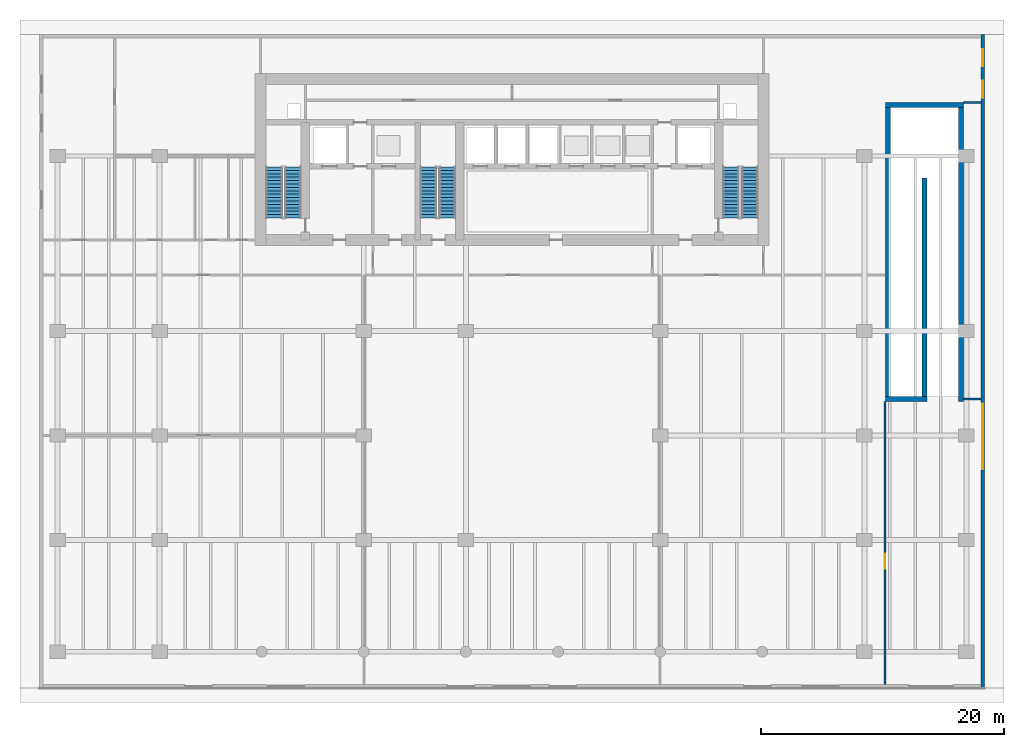
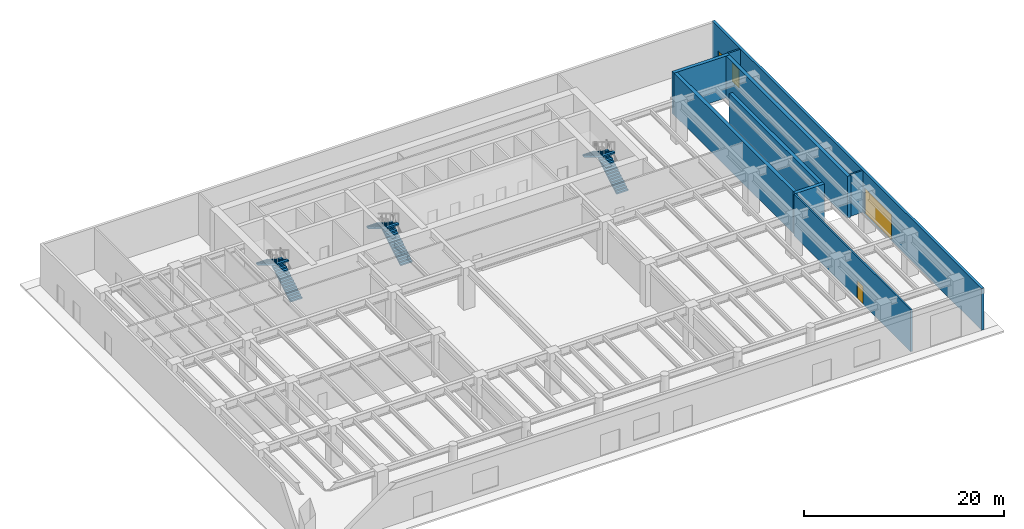
# One storey, part 7 of 11: 9 walls, 6 stair flights, 4 doors, 4 openings, 3 elements without a shape of their own.
"""IFC4 building model written with IfcOpenShell, lengths in metres."""

from ifc_helpers import new_model, si_unit, direction, frame, frame_2d, origin, place, context, subcontext, project, spatial, polyline, rectangle, outline, extrude, material, layer, layer_set, type_object, element, fill, aggregate, save


model = new_model("IFC4")

# Units and contexts
model_context = context("Model", 3, precision=1e-05, world=origin(), true_north=direction((0.0, 1.0)))
body_context = subcontext(model_context, "Body", "Model", "MODEL_VIEW")
ifc_project = project(units=[si_unit("LENGTHUNIT", "METRE"), si_unit("AREAUNIT", "SQUARE_METRE"), si_unit("VOLUMEUNIT", "CUBIC_METRE"), si_unit("PLANEANGLEUNIT", "RADIAN"), si_unit("MASSUNIT", "GRAM", prefix="KILO")], contexts=[model_context])

# Site, building, storey
site_placement = place(None, origin())
site = spatial("IfcSite", under=ifc_project, at=site_placement, CompositionType="ELEMENT")
building_placement = place(site_placement, origin())
building = spatial("IfcBuilding", under=site, at=building_placement, Name="Caelmar Bay Residences", CompositionType="ELEMENT")
storey_placement = place(building_placement, origin())
storey = spatial("IfcBuildingStorey", under=building, at=storey_placement, Name="L00", CompositionType="ELEMENT", Elevation=0.0)

# Walls
ifc_material_1 = material(Name="Concrete f'c 40 MPa (6,000 psi)", Category="concrete")
ifc_layer_1 = layer(ifc_material_1, 0.39990234375)
ifc_layer_set_1 = layer_set([ifc_layer_1], Name="Concrete f'c 40 MPa (6,000 psi)")
wall_type_1 = type_object("IfcWallType", Name="SW-RMP-400", PredefinedType="SHEAR", material=ifc_layer_set_1)
wall_1_placement = place(storey_placement, frame((69.64990234375, 48.0, 0.0), z_axis=(0.0, 0.0, 1.0), x_axis=(1.0, 0.0, 0.0)))
element("IfcWall", 1, at=wall_1_placement, inside=storey, type_object=wall_type_1, Name="Car park vehicle ramp B01 to L00 L00 Ramp Shaft Enclosure Wall N", PredefinedType="SHEAR", context=body_context, shape_type="SweptSolid", body=[
    extrude(rectangle(XDim=6.400146484375, YDim=0.39990234375, at=frame_2d((3.2001953125, 0.0))), origin(), (0.0, 0.0, 1.0), 5.10009765625),
])
for number, where, z_axis, x_axis, name in (
    (2, (69.85009765625, 23.60009765625, 0.0), (0.0, 0.0, 1.0), (0.0, 1.0, 0.0), "Car park vehicle ramp B01 to L00 L00 Ramp Shaft Enclosure Wall W"),
    (3, (75.85009765625, 23.60009765625, 0.0), (0.0, 0.0, 1.0), (0.0, 1.0, 0.0), "Car park vehicle ramp B01 to L00 L00 Ramp Shaft Enclosure Wall E"),
):
    element("IfcWall", number, at=place(storey_placement, frame(where, z_axis=z_axis, x_axis=x_axis)), inside=storey, type_object=wall_type_1, Name=name, PredefinedType="SHEAR", context=body_context, shape_type="SweptSolid", body=[
        extrude(rectangle(XDim=24.199951171875, YDim=0.39990234375, at=frame_2d((12.10009765625, 0.0))), origin(), (0.0, 0.0, 1.0), 5.10009765625),
    ])
wall_2_placement = place(storey_placement, frame((72.85009765625, 23.60009765625, -0.300048828125), z_axis=(0.0, 0.0, 1.0), x_axis=(0.0, 1.0, 0.0)))
element("IfcWall", 4, at=wall_2_placement, inside=storey, type_object=wall_type_1, Name="Car park vehicle ramp B01 to L00 L00 Ramp Shaft Enclosure Wall M", PredefinedType="SHEAR", context=body_context, shape_type="SweptSolid", body=[
    extrude(rectangle(XDim=18.39990234375, YDim=0.39990234375, at=frame_2d((9.199951171875, 0.0))), origin(), (0.0, 0.0, 1.0), 5.400146484375),
])
wall_3_placement = place(storey_placement, frame((69.64990234375, 23.800048828125, 0.0), z_axis=(0.0, 0.0, 1.0), x_axis=(1.0, 0.0, 0.0)))
element("IfcWall", 5, at=wall_3_placement, inside=storey, type_object=wall_type_1, Name="Car park vehicle ramp B01 to L00 L00 Ramp Shaft Enclosure Wall SW", PredefinedType="SHEAR", context=body_context, shape_type="SweptSolid", body=[
    extrude(rectangle(XDim=3.400146484375, YDim=0.39990234375, at=frame_2d((1.7001953125, 0.0))), origin(), (0.0, 0.0, 1.0), 5.10009765625),
])

# Wall, opening, door
ifc_material_2 = material(Name="Double-stud acoustic fire-rated gypsum partition 180 mm")
ifc_layer_2 = layer(ifc_material_2, 0.179931640625)
ifc_layer_set_2 = layer_set([ifc_layer_2], Name="Double-stud acoustic fire-rated gypsum partition 180 mm")
wall_type_2 = type_object("IfcWallType", Name="W-COR-200", PredefinedType="PARTITIONING", material=ifc_layer_set_2)
wall_4_placement = place(storey_placement, frame((69.60009765625, 0.294921875, 0.0), z_axis=(0.0, 0.0, 1.0), x_axis=(0.0, 1.0, 0.0)))
wall_4 = element("IfcWall", 6, at=wall_4_placement, inside=storey, type_object=wall_type_2, Name="L00 Partition Wall V025", PredefinedType="PARTITIONING", context=body_context, shape_type="SweptSolid", body=[
    extrude(rectangle(XDim=23.300048828125, YDim=0.179931640625, at=frame_2d((11.64990234375, 0.0))), origin(), (0.0, 0.0, 1.0), 5.10009765625),
])
opening_1_placement = place(wall_4_placement, frame((9.550048828125, 0.0, 0.0)))
opening_1 = element("IfcOpeningElement", 7, at=opening_1_placement, cuts=wall_4, Name="Opening D-L00-134", PredefinedType="OPENING", context=body_context, shape_type="SweptSolid", body=[
    extrude(rectangle(XDim=1.199951171875, YDim=2.199951171875, at=frame_2d((0.60009765625, 1.10009765625))), frame((0.0, 0.099853515625, 0.0), z_axis=(0.0, -1.0, 0.0), x_axis=(1.0, 0.0, 0.0)), (0.0, 0.0, 1.0), 0.199951171875),
])
ifc_material_3 = material(Name="Fire-rated steel and walnut architectural door assembly", Category="steel")
ifc_layer_3 = layer(ifc_material_3, 0.050048828125)
ifc_layer_set_3 = layer_set([ifc_layer_3], Name="Fire-rated steel and walnut architectural door assembly")
door_type_1 = type_object("IfcDoorType", Name="D-PLANT-1200", OperationType="NOTDEFINED", PredefinedType="DOOR", material=ifc_layer_set_3)
door_1_placement = place(opening_1_placement, origin())
door_1 = element("IfcDoor", 8, at=door_1_placement, inside=storey, type_object=door_type_1, Name="L00 Service Loading Bay Door", OperationType="SINGLE_SWING_LEFT", OverallHeight=2.199951171875, OverallWidth=1.199951171875, PredefinedType="DOOR", context=body_context, shape_type="SweptSolid", body=[
    extrude(rectangle(XDim=1.199951171875, YDim=2.199951171875, at=frame_2d((0.60009765625, 1.10009765625))), frame((0.0, 0.02490234375, 0.0), z_axis=(0.0, -1.0, 0.0), x_axis=(1.0, 0.0, 0.0)), (0.0, 0.0, 1.0), 0.050048828125),
])
fill(opening_1, door_1)

# Walls
wall_5_placement = place(storey_placement, frame((76.044921875, 23.800048828125, 0.0), z_axis=(0.0, 0.0, 1.0), x_axis=(1.0, 0.0, 0.0)))
element("IfcWall", 9, at=wall_5_placement, inside=storey, type_object=wall_type_2, Name="L00 Partition Wall H027", PredefinedType="PARTITIONING", context=body_context, shape_type="SweptSolid", body=[
    extrude(rectangle(XDim=1.4599609375, YDim=0.179931640625, at=frame_2d((0.72998046875, 0.0))), origin(), (0.0, 0.0, 1.0), 5.10009765625),
])
wall_6_placement = place(storey_placement, frame((76.054931640625, 48.199951171875, 0.0), z_axis=(0.0, 0.0, 1.0), x_axis=(1.0, 0.0, 0.0)))
element("IfcWall", 10, at=wall_6_placement, inside=storey, type_object=wall_type_2, Name="L00 Partition Wall H031", PredefinedType="PARTITIONING", context=body_context, shape_type="SweptSolid", body=[
    extrude(rectangle(XDim=1.449951171875, YDim=0.179931640625, at=frame_2d((0.72509765625, 0.0))), origin(), (0.0, 0.0, 1.0), 5.10009765625),
])

# Wall, openings, doors
ifc_material_4 = material(Name="Precast concrete f'c 40 MPa (6,000 psi)", Category="concrete")
ifc_layer_4 = layer(ifc_material_4, 0.300048828125)
ifc_layer_set_4 = layer_set([ifc_layer_4], Name="Precast concrete f'c 40 MPa (6,000 psi)")
wall_type_3 = type_object("IfcWallType", Name="W-EXT-300", PredefinedType="STANDARD", material=ifc_layer_set_4)
wall_7_placement = place(storey_placement, frame((77.64990234375, 53.800048828125, 0.0), z_axis=(0.0, 0.0, 1.0), x_axis=(0.0, -1.0, 0.0)))
wall_7 = element("IfcWall", 11, at=wall_7_placement, inside=storey, type_object=wall_type_3, Name="L00 East Exterior Wall", PredefinedType="STANDARD", context=body_context, shape_type="SweptSolid", body=[
    extrude(rectangle(XDim=53.800048828125, YDim=0.300048828125, at=frame_2d((26.89990234375, 0.0))), origin(), (0.0, 0.0, 1.0), 5.10009765625),
])
opening_2_placement = place(wall_7_placement, frame((3.800048828125, 0.0, 0.0)))
opening_2 = element("IfcOpeningElement", 12, at=opening_2_placement, cuts=wall_7, Name="Opening L00-D008", PredefinedType="OPENING", context=body_context, shape_type="SweptSolid", body=[
    extrude(rectangle(XDim=1.39990234375, YDim=2.199951171875, at=frame_2d((0.699951171875, 1.10009765625))), frame((0.0, 0.159912109375, 0.0), z_axis=(0.0, -1.0, 0.0), x_axis=(1.0, 0.0, 0.0)), (0.0, 0.0, 1.0), 0.320068359375),
])
opening_3_placement = place(wall_7_placement, frame((1.199951171875, 0.0, 0.0)))
opening_3 = element("IfcOpeningElement", 13, at=opening_3_placement, cuts=wall_7, Name="Opening L00-D009", PredefinedType="OPENING", context=body_context, shape_type="SweptSolid", body=[
    extrude(rectangle(XDim=1.39990234375, YDim=2.199951171875, at=frame_2d((0.699951171875, 1.10009765625))), frame((0.0, 0.159912109375, 0.0), z_axis=(0.0, -1.0, 0.0), x_axis=(1.0, 0.0, 0.0)), (0.0, 0.0, 1.0), 0.320068359375),
])
opening_4_placement = place(wall_7_placement, frame((30.39990234375, 0.0, 0.0)))
opening_4 = element("IfcOpeningElement", 14, at=opening_4_placement, cuts=wall_7, Name="Opening L00-VG01", PredefinedType="OPENING", context=body_context, shape_type="SweptSolid", body=[
    extrude(rectangle(XDim=5.39990234375, YDim=3.199951171875, at=frame_2d((2.699951171875, 1.60009765625))), frame((0.0, 0.159912109375, 0.0), z_axis=(0.0, -1.0, 0.0), x_axis=(1.0, 0.0, 0.0)), (0.0, 0.0, 1.0), 0.320068359375),
])
ifc_material_5 = material(Name="Insulated stainless-bronze steel exit door", Category="steel")
ifc_layer_5 = layer(ifc_material_5, 0.050048828125)
ifc_layer_set_5 = layer_set([ifc_layer_5], Name="Insulated stainless-bronze steel exit door")
door_type_2 = type_object("IfcDoorType", Name="D-EXIT-1400", OperationType="NOTDEFINED", PredefinedType="DOOR", material=ifc_layer_set_5)
door_2_placement = place(opening_2_placement, origin())
door_2 = element("IfcDoor", 15, at=door_2_placement, inside=storey, type_object=door_type_2, Name="East Exit Passageway Final Exit Door 1", OperationType="SINGLE_SWING_LEFT", OverallHeight=2.199951171875, OverallWidth=1.39990234375, PredefinedType="DOOR", context=body_context, shape_type="SweptSolid", body=[
    extrude(rectangle(XDim=1.39990234375, YDim=2.199951171875, at=frame_2d((0.699951171875, 1.10009765625))), frame((0.0, 0.02490234375, 0.0), z_axis=(0.0, -1.0, 0.0), x_axis=(1.0, 0.0, 0.0)), (0.0, 0.0, 1.0), 0.050048828125),
])
fill(opening_2, door_2)
door_3_placement = place(opening_3_placement, origin())
door_3 = element("IfcDoor", 16, at=door_3_placement, inside=storey, type_object=door_type_2, Name="East Exit Passageway Final Exit Door 2", OperationType="SINGLE_SWING_RIGHT", OverallHeight=2.199951171875, OverallWidth=1.39990234375, PredefinedType="DOOR", context=body_context, shape_type="SweptSolid", body=[
    extrude(rectangle(XDim=1.39990234375, YDim=2.199951171875, at=frame_2d((0.699951171875, 1.10009765625))), frame((0.0, 0.02490234375, 0.0), z_axis=(0.0, -1.0, 0.0), x_axis=(1.0, 0.0, 0.0)), (0.0, 0.0, 1.0), 0.050048828125),
])
fill(opening_3, door_3)
ifc_material_6 = material(Name="Perforated anodised bronze aluminium roller shutter", Category="aluminium")
ifc_layer_6 = layer(ifc_material_6, 0.080078125)
ifc_layer_set_6 = layer_set([ifc_layer_6], Name="Perforated anodised bronze aluminium roller shutter")
door_type_3 = type_object("IfcDoorType", Name="G-SHUT-5400", OperationType="ROLLINGUP", PredefinedType="GATE", material=ifc_layer_set_6)
door_4_placement = place(opening_4_placement, origin())
door_4 = element("IfcDoor", 17, at=door_4_placement, inside=storey, type_object=door_type_3, Name="Car-Park Ramp Hurricane Shutter", OperationType="ROLLINGUP", OverallHeight=3.199951171875, OverallWidth=5.39990234375, PredefinedType="GATE", context=body_context, shape_type="SweptSolid", body=[
    extrude(rectangle(XDim=5.39990234375, YDim=3.199951171875, at=frame_2d((2.699951171875, 1.60009765625))), frame((0.0, 0.02490234375, 0.0), z_axis=(0.0, -1.0, 0.0), x_axis=(1.0, 0.0, 0.0)), (0.0, 0.0, 1.0), 0.050048828125),
])
fill(opening_4, door_4)

# Stair, stair flights
stair_type = type_object("IfcStairType", Name="ST-TAL-170", PredefinedType="HALF_TURN_STAIR", material=ifc_material_1)
stair_1_placement = place(storey_placement, origin())
stair_1 = element("IfcStair", 18, at=stair_1_placement, inside=storey, type_object=stair_type, Name="L00 West Smokeproof Exit Stair ST1", PredefinedType="HALF_TURN_STAIR")
stair_flight_type = type_object("IfcStairFlightType", Name="STF-1400", PredefinedType="STRAIGHT", material=ifc_material_4)
stair_flight_1_placement = place(storey_placement, frame((20.875, 38.699951171875, 0.0), z_axis=(0.0, 0.0, 1.0), x_axis=(0.0, 1.0, 0.0)))
stair_flight_1 = element("IfcStairFlight", 19, at=stair_flight_1_placement, type_object=stair_flight_type, Name="ST1 flight 1", NumberOfRisers=16, NumberOfTreads=15, PredefinedType="STRAIGHT", RiserHeight=0.16875, TreadLength=0.28, context=body_context, shape_type="SweptSolid", body=[
    extrude(outline(polyline([(0.0, 0.0), (0.0, 0.168701171875), (0.280029296875, 0.168701171875), (0.280029296875, 0.33740234375), (0.56005859375, 0.33740234375), (0.56005859375, 0.50634765625), (0.840087890625, 0.50634765625), (0.840087890625, 0.675048828125), (1.1201171875, 0.675048828125), (1.1201171875, 0.84375), (1.39990234375, 0.84375), (1.39990234375, 1.012451171875), (1.679931640625, 1.012451171875), (1.679931640625, 1.18115234375), (1.9599609375, 1.18115234375), (1.9599609375, 1.35009765625), (2.239990234375, 1.35009765625), (2.239990234375, 1.518798828125), (2.52001953125, 1.518798828125), (2.52001953125, 1.6875), (2.800048828125, 1.6875), (2.800048828125, 1.856201171875), (3.080078125, 1.856201171875), (3.080078125, 2.02490234375), (3.360107421875, 2.02490234375), (3.360107421875, 2.19384765625), (3.639892578125, 2.19384765625), (3.639892578125, 2.362548828125), (3.919921875, 2.362548828125), (3.919921875, 2.53125), (4.199951171875, 2.53125), (4.199951171875, 2.699951171875), (4.199951171875, 2.356201171875), (0.29052734375, 0.0), (0.0, 0.0)])), frame((0.0, 0.675048828125, 0.0), z_axis=(0.0, -1.0, 0.0), x_axis=(1.0, 0.0, 0.0)), (0.0, 0.0, 1.0), 1.35009765625),
])
stair_flight_2_placement = place(storey_placement, frame((19.324951171875, 42.89990234375, 2.699951171875), z_axis=(0.0, 0.0, 1.0), x_axis=(0.0, -1.0, 0.0)))
stair_flight_2 = element("IfcStairFlight", 20, at=stair_flight_2_placement, type_object=stair_flight_type, Name="ST1 flight 2", NumberOfRisers=16, NumberOfTreads=15, PredefinedType="STRAIGHT", RiserHeight=0.16875, TreadLength=0.28, context=body_context, shape_type="SweptSolid", body=[
    extrude(outline(polyline([(0.0, 0.0), (0.0, 0.168701171875), (0.280029296875, 0.168701171875), (0.280029296875, 0.33740234375), (0.56005859375, 0.33740234375), (0.56005859375, 0.50634765625), (0.840087890625, 0.50634765625), (0.840087890625, 0.675048828125), (1.1201171875, 0.675048828125), (1.1201171875, 0.84375), (1.39990234375, 0.84375), (1.39990234375, 1.012451171875), (1.679931640625, 1.012451171875), (1.679931640625, 1.18115234375), (1.9599609375, 1.18115234375), (1.9599609375, 1.35009765625), (2.239990234375, 1.35009765625), (2.239990234375, 1.518798828125), (2.52001953125, 1.518798828125), (2.52001953125, 1.6875), (2.800048828125, 1.6875), (2.800048828125, 1.856201171875), (3.080078125, 1.856201171875), (3.080078125, 2.02490234375), (3.360107421875, 2.02490234375), (3.360107421875, 2.19384765625), (3.639892578125, 2.19384765625), (3.639892578125, 2.362548828125), (3.919921875, 2.362548828125), (3.919921875, 2.53125), (4.199951171875, 2.53125), (4.199951171875, 2.699951171875), (4.199951171875, 2.356201171875), (0.29052734375, 0.0), (0.0, 0.0)])), frame((0.0, 0.675048828125, 0.0), z_axis=(0.0, -1.0, 0.0), x_axis=(1.0, 0.0, 0.0)), (0.0, 0.0, 1.0), 1.35009765625),
])
aggregate(stair_1, [stair_flight_1, stair_flight_2])

stair_2_placement = place(storey_placement, origin())
stair_2 = element("IfcStair", 21, at=stair_2_placement, inside=storey, type_object=stair_type, Name="L00 East Smokeproof Exit Stair ST2", PredefinedType="HALF_TURN_STAIR")
stair_flight_3_placement = place(storey_placement, frame((58.47509765625, 38.699951171875, 0.0), z_axis=(0.0, 0.0, 1.0), x_axis=(0.0, 1.0, 0.0)))
stair_flight_3 = element("IfcStairFlight", 22, at=stair_flight_3_placement, type_object=stair_flight_type, Name="ST2 flight 1", NumberOfRisers=16, NumberOfTreads=15, PredefinedType="STRAIGHT", RiserHeight=0.16875, TreadLength=0.28, context=body_context, shape_type="SweptSolid", body=[
    extrude(outline(polyline([(0.0, 0.0), (0.0, 0.168701171875), (0.280029296875, 0.168701171875), (0.280029296875, 0.33740234375), (0.56005859375, 0.33740234375), (0.56005859375, 0.50634765625), (0.840087890625, 0.50634765625), (0.840087890625, 0.675048828125), (1.1201171875, 0.675048828125), (1.1201171875, 0.84375), (1.39990234375, 0.84375), (1.39990234375, 1.012451171875), (1.679931640625, 1.012451171875), (1.679931640625, 1.18115234375), (1.9599609375, 1.18115234375), (1.9599609375, 1.35009765625), (2.239990234375, 1.35009765625), (2.239990234375, 1.518798828125), (2.52001953125, 1.518798828125), (2.52001953125, 1.6875), (2.800048828125, 1.6875), (2.800048828125, 1.856201171875), (3.080078125, 1.856201171875), (3.080078125, 2.02490234375), (3.360107421875, 2.02490234375), (3.360107421875, 2.19384765625), (3.639892578125, 2.19384765625), (3.639892578125, 2.362548828125), (3.919921875, 2.362548828125), (3.919921875, 2.53125), (4.199951171875, 2.53125), (4.199951171875, 2.699951171875), (4.199951171875, 2.356201171875), (0.29052734375, 0.0), (0.0, 0.0)])), frame((0.0, 0.675048828125, 0.0), z_axis=(0.0, -1.0, 0.0), x_axis=(1.0, 0.0, 0.0)), (0.0, 0.0, 1.0), 1.35009765625),
])
stair_flight_4_placement = place(storey_placement, frame((56.925048828125, 42.89990234375, 2.699951171875), z_axis=(0.0, 0.0, 1.0), x_axis=(0.0, -1.0, 0.0)))
stair_flight_4 = element("IfcStairFlight", 23, at=stair_flight_4_placement, type_object=stair_flight_type, Name="ST2 flight 2", NumberOfRisers=16, NumberOfTreads=15, PredefinedType="STRAIGHT", RiserHeight=0.16875, TreadLength=0.28, context=body_context, shape_type="SweptSolid", body=[
    extrude(outline(polyline([(0.0, 0.0), (0.0, 0.168701171875), (0.280029296875, 0.168701171875), (0.280029296875, 0.33740234375), (0.56005859375, 0.33740234375), (0.56005859375, 0.50634765625), (0.840087890625, 0.50634765625), (0.840087890625, 0.675048828125), (1.1201171875, 0.675048828125), (1.1201171875, 0.84375), (1.39990234375, 0.84375), (1.39990234375, 1.012451171875), (1.679931640625, 1.012451171875), (1.679931640625, 1.18115234375), (1.9599609375, 1.18115234375), (1.9599609375, 1.35009765625), (2.239990234375, 1.35009765625), (2.239990234375, 1.518798828125), (2.52001953125, 1.518798828125), (2.52001953125, 1.6875), (2.800048828125, 1.6875), (2.800048828125, 1.856201171875), (3.080078125, 1.856201171875), (3.080078125, 2.02490234375), (3.360107421875, 2.02490234375), (3.360107421875, 2.19384765625), (3.639892578125, 2.19384765625), (3.639892578125, 2.362548828125), (3.919921875, 2.362548828125), (3.919921875, 2.53125), (4.199951171875, 2.53125), (4.199951171875, 2.699951171875), (4.199951171875, 2.356201171875), (0.29052734375, 0.0), (0.0, 0.0)])), frame((0.0, 0.675048828125, 0.0), z_axis=(0.0, -1.0, 0.0), x_axis=(1.0, 0.0, 0.0)), (0.0, 0.0, 1.0), 1.35009765625),
])
aggregate(stair_2, [stair_flight_3, stair_flight_4])

stair_3_placement = place(storey_placement, origin())
stair_3 = element("IfcStair", 24, at=stair_3_placement, inside=storey, type_object=stair_type, Name="L00 Central Smokeproof Exit Stair ST3", PredefinedType="HALF_TURN_STAIR")
stair_flight_5_placement = place(storey_placement, frame((33.574951171875, 38.699951171875, 0.0), z_axis=(0.0, 0.0, 1.0), x_axis=(0.0, 1.0, 0.0)))
stair_flight_5 = element("IfcStairFlight", 25, at=stair_flight_5_placement, type_object=stair_flight_type, Name="ST3 flight 1", NumberOfRisers=16, NumberOfTreads=15, PredefinedType="STRAIGHT", RiserHeight=0.16875, TreadLength=0.28, context=body_context, shape_type="SweptSolid", body=[
    extrude(outline(polyline([(0.0, 0.0), (0.0, 0.168701171875), (0.280029296875, 0.168701171875), (0.280029296875, 0.33740234375), (0.56005859375, 0.33740234375), (0.56005859375, 0.50634765625), (0.840087890625, 0.50634765625), (0.840087890625, 0.675048828125), (1.1201171875, 0.675048828125), (1.1201171875, 0.84375), (1.39990234375, 0.84375), (1.39990234375, 1.012451171875), (1.679931640625, 1.012451171875), (1.679931640625, 1.18115234375), (1.9599609375, 1.18115234375), (1.9599609375, 1.35009765625), (2.239990234375, 1.35009765625), (2.239990234375, 1.518798828125), (2.52001953125, 1.518798828125), (2.52001953125, 1.6875), (2.800048828125, 1.6875), (2.800048828125, 1.856201171875), (3.080078125, 1.856201171875), (3.080078125, 2.02490234375), (3.360107421875, 2.02490234375), (3.360107421875, 2.19384765625), (3.639892578125, 2.19384765625), (3.639892578125, 2.362548828125), (3.919921875, 2.362548828125), (3.919921875, 2.53125), (4.199951171875, 2.53125), (4.199951171875, 2.699951171875), (4.199951171875, 2.356201171875), (0.29052734375, 0.0), (0.0, 0.0)])), frame((0.0, 0.675048828125, 0.0), z_axis=(0.0, -1.0, 0.0), x_axis=(1.0, 0.0, 0.0)), (0.0, 0.0, 1.0), 1.35009765625),
])
stair_flight_6_placement = place(storey_placement, frame((32.02490234375, 42.89990234375, 2.699951171875), z_axis=(0.0, 0.0, 1.0), x_axis=(0.0, -1.0, 0.0)))
stair_flight_6 = element("IfcStairFlight", 26, at=stair_flight_6_placement, type_object=stair_flight_type, Name="ST3 flight 2", NumberOfRisers=16, NumberOfTreads=15, PredefinedType="STRAIGHT", RiserHeight=0.16875, TreadLength=0.28, context=body_context, shape_type="SweptSolid", body=[
    extrude(outline(polyline([(0.0, 0.0), (0.0, 0.168701171875), (0.280029296875, 0.168701171875), (0.280029296875, 0.33740234375), (0.56005859375, 0.33740234375), (0.56005859375, 0.50634765625), (0.840087890625, 0.50634765625), (0.840087890625, 0.675048828125), (1.1201171875, 0.675048828125), (1.1201171875, 0.84375), (1.39990234375, 0.84375), (1.39990234375, 1.012451171875), (1.679931640625, 1.012451171875), (1.679931640625, 1.18115234375), (1.9599609375, 1.18115234375), (1.9599609375, 1.35009765625), (2.239990234375, 1.35009765625), (2.239990234375, 1.518798828125), (2.52001953125, 1.518798828125), (2.52001953125, 1.6875), (2.800048828125, 1.6875), (2.800048828125, 1.856201171875), (3.080078125, 1.856201171875), (3.080078125, 2.02490234375), (3.360107421875, 2.02490234375), (3.360107421875, 2.19384765625), (3.639892578125, 2.19384765625), (3.639892578125, 2.362548828125), (3.919921875, 2.362548828125), (3.919921875, 2.53125), (4.199951171875, 2.53125), (4.199951171875, 2.699951171875), (4.199951171875, 2.356201171875), (0.29052734375, 0.0), (0.0, 0.0)])), frame((0.0, 0.675048828125, 0.0), z_axis=(0.0, -1.0, 0.0), x_axis=(1.0, 0.0, 0.0)), (0.0, 0.0, 1.0), 1.35009765625),
])
aggregate(stair_3, [stair_flight_5, stair_flight_6])

save(model, "model.ifc")
